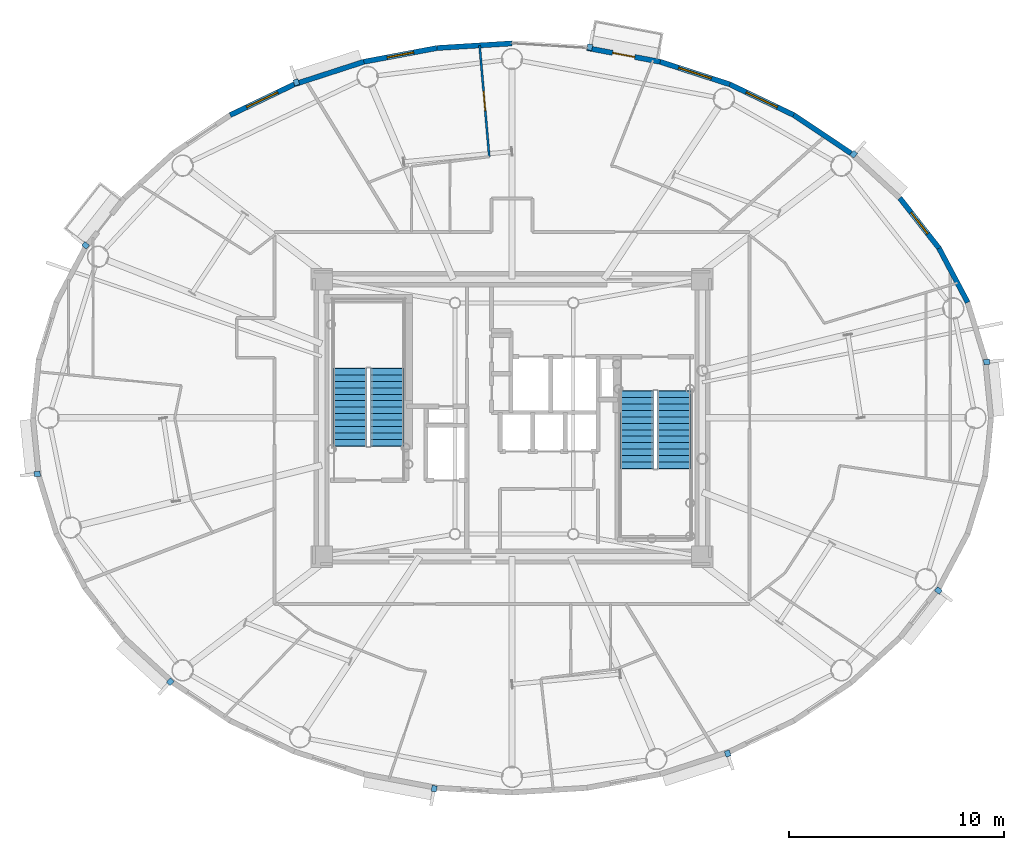
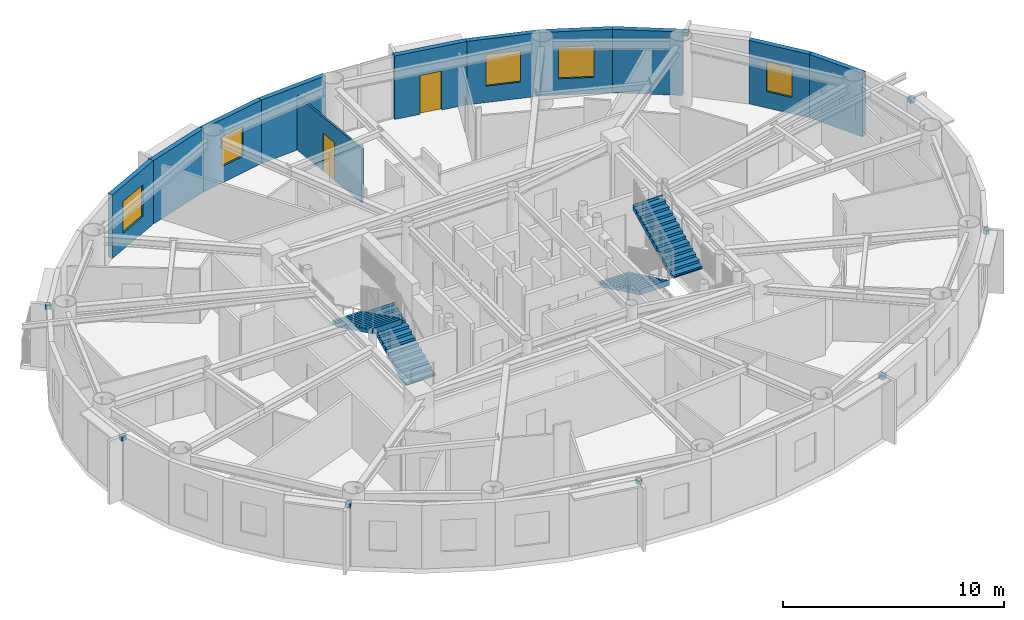
# One storey, part 11 of 18: 11 walls, 10 discrete accessories, 5 windows, 4 stair flights, 2 doors, 7 openings, 2 elements without a shape of their own.
"""IFC4 building model written with IfcOpenShell, lengths in metres."""

from ifc_helpers import new_model, si_unit, direction, frame, frame_2d, origin, origin_2d, place, context, subcontext, project, spatial, polyline, rectangle, outline, extrude, source, transform, mapped, material, layer, layer_set, type_object, element, fill, aggregate, save


model = new_model("IFC4")

# Units and contexts
model_context = context("Model", 3, precision=1e-05, world=origin(), true_north=direction((0.0, 1.0)))
body_context = subcontext(model_context, "Body", "Model", "MODEL_VIEW")
ifc_project = project(units=[si_unit("LENGTHUNIT", "METRE"), si_unit("AREAUNIT", "SQUARE_METRE"), si_unit("VOLUMEUNIT", "CUBIC_METRE"), si_unit("PLANEANGLEUNIT", "RADIAN"), si_unit("MASSUNIT", "GRAM", prefix="KILO")], contexts=[model_context])

# Site, building, storey
site_placement = place(None, origin())
site = spatial("IfcSite", under=ifc_project, at=site_placement, CompositionType="ELEMENT")
building_placement = place(site_placement, origin())
building = spatial("IfcBuilding", under=site, at=building_placement, Name="Linh Dai School and Residence Tower", CompositionType="ELEMENT")
storey_placement = place(building_placement, frame((0.0, 0.0, 291.75)))
storey = spatial("IfcBuildingStorey", under=building, at=storey_placement, Name="L72", CompositionType="ELEMENT", Elevation=291.75)

# Wall
ifc_material_1 = material(Name="Precast Concrete B45 (C35/45)", Category="concrete")
ifc_layer_1 = layer(ifc_material_1, 0.239990234375)
ifc_layer_set_1 = layer_set([ifc_layer_1], Name="Precast Concrete B45 (C35/45)")
wall_type_1 = type_object("IfcWallType", Name="EW-TC-240", PredefinedType="SOLIDWALL", material=ifc_layer_set_1)
wall_1_placement = place(storey_placement, frame((55.853759765625, 34.894775390625, 0.0), z_axis=(0.0, 0.0, 1.0), x_axis=(0.467628269026, -0.883925224218, 0.0)))
element("IfcWall", 1, at=wall_1_placement, inside=storey, type_object=wall_type_1, Name="L72 Terracotta Exterior Wall 03", PredefinedType="SOLIDWALL", context=body_context, shape_type="SweptSolid", body=[
    extrude(rectangle(XDim=2.853759765625, YDim=0.239990234375, at=frame_2d((1.4267578125, 0.0))), origin(), (0.0, 0.0, 1.0), 3.5),
])

# Wall, opening, window
wall_2_placement = place(storey_placement, frame((54.0302734375, 37.224609375, 0.0), z_axis=(0.0, 0.0, 1.0), x_axis=(0.616337186556, -0.787482363275, 0.0)))
wall_2 = element("IfcWall", 2, at=wall_2_placement, inside=storey, type_object=wall_type_1, Name="L72 Terracotta Exterior Wall 04", PredefinedType="SOLIDWALL", context=body_context, shape_type="SweptSolid", body=[
    extrude(rectangle(XDim=2.95849609375, YDim=0.239990234375, at=frame_2d((1.479248046875, 0.0))), origin(), (0.0, 0.0, 1.0), 3.5),
])
opening_1_placement = place(wall_2_placement, frame((0.85400390625, 0.0, 0.89990234375)))
opening_1 = element("IfcOpeningElement", 3, at=opening_1_placement, cuts=wall_2, Name="Opening W3", PredefinedType="OPENING", context=body_context, shape_type="SweptSolid", body=[
    extrude(rectangle(XDim=1.25, YDim=1.64990234375, at=origin_2d()), frame((0.625, 0.1298828125, 0.824951171875), z_axis=(0.0, -1.0, 0.0), x_axis=(1.0, 0.0, 0.0)), (0.0, 0.0, 1.0), 0.260009765625),
])
ifc_material_2 = material(Name="Double Low-E Insulated Glazing", Category="glass")
window_type_1 = type_object("IfcWindowType", Name="WN-RES-1250x1650", PartitioningType="SINGLE_PANEL", PredefinedType="WINDOW", material=ifc_material_2)
shared_shape_1 = source(origin(), body_context, "Body", "SweptSolid", [
    extrude(rectangle(XDim=1.25, YDim=1.64990234375, at=origin_2d()), frame((0.625, 0.030029296875, 0.824951171875), z_axis=(0.0, -1.0, 0.0), x_axis=(1.0, 0.0, 0.0)), (0.0, 0.0, 1.0), 0.06005859375),
])
window_1_placement = place(opening_1_placement, origin())
window_1 = element("IfcWindow", 4, at=window_1_placement, inside=storey, type_object=window_type_1, Name="L72 Exterior Window 04.1", OverallHeight=1.64990234375, OverallWidth=1.25, PartitioningType="SINGLE_PANEL", PredefinedType="WINDOW", context=body_context, shape_type="MappedRepresentation", body=[
    mapped(shared_shape_1, transform((0.0, 0.0, 0.0), x_axis=(1.0, 0.0, 0.0), y_axis=(0.0, 1.0, 0.0), z_axis=(0.0, 0.0, 1.0), scale=1.0)),
])
fill(opening_1, window_1)

# Wall
wall_3_placement = place(storey_placement, frame((49.1044921875, 41.08154296875, 0.0), z_axis=(0.0, 0.0, 1.0), x_axis=(0.831250592635, -0.55589787933, 0.0)))
element("IfcWall", 5, at=wall_3_placement, inside=storey, type_object=wall_type_1, Name="L72 Terracotta Exterior Wall 06", PredefinedType="SOLIDWALL", context=body_context, shape_type="SweptSolid", body=[
    extrude(rectangle(XDim=3.197265625, YDim=0.239990234375, at=frame_2d((1.5986328125, 0.0))), origin(), (0.0, 0.0, 1.0), 3.5),
])

# Wall, opening, window
wall_4_placement = place(storey_placement, frame((46.123046875, 42.51220703125, 0.0), z_axis=(0.0, 0.0, 1.0), x_axis=(0.901573741254, -0.43262546051, 0.0)))
wall_4 = element("IfcWall", 6, at=wall_4_placement, inside=storey, type_object=wall_type_1, Name="L72 Terracotta Exterior Wall 07", PredefinedType="SOLIDWALL", context=body_context, shape_type="SweptSolid", body=[
    extrude(rectangle(XDim=3.306884765625, YDim=0.239990234375, at=frame_2d((1.6533203125, 0.0))), origin(), (0.0, 0.0, 1.0), 3.5),
])
opening_2_placement = place(wall_4_placement, frame((0.853271484375, 0.0, 0.89990234375)))
opening_2 = element("IfcOpeningElement", 7, at=opening_2_placement, cuts=wall_4, Name="Opening W2", PredefinedType="OPENING", context=body_context, shape_type="SweptSolid", body=[
    extrude(rectangle(XDim=1.60009765625, YDim=1.75, at=origin_2d()), frame((0.800048828125, 0.1298828125, 0.875), z_axis=(0.0, -1.0, 0.0), x_axis=(1.0, 0.0, 0.0)), (0.0, 0.0, 1.0), 0.260009765625),
])
window_type_2 = type_object("IfcWindowType", Name="WN-RES-1600x1750", PartitioningType="DOUBLE_PANEL_VERTICAL", PredefinedType="WINDOW", material=ifc_material_2)
shared_shape_2 = source(origin(), body_context, "Body", "SweptSolid", [
    extrude(rectangle(XDim=1.60009765625, YDim=1.75, at=origin_2d()), frame((0.800048828125, 0.030029296875, 0.875), z_axis=(0.0, -1.0, 0.0), x_axis=(1.0, 0.0, 0.0)), (0.0, 0.0, 1.0), 0.06005859375),
])
window_2_placement = place(opening_2_placement, origin())
window_2 = element("IfcWindow", 8, at=window_2_placement, inside=storey, type_object=window_type_2, Name="L72 Exterior Window 07.1", OverallHeight=1.75, OverallWidth=1.60009765625, PartitioningType="DOUBLE_PANEL_VERTICAL", PredefinedType="WINDOW", context=body_context, shape_type="MappedRepresentation", body=[
    mapped(shared_shape_2, transform((0.0, 0.0, 0.0), x_axis=(1.0, 0.0, 0.0), y_axis=(0.0, 1.0, 0.0), z_axis=(0.0, 0.0, 1.0), scale=1.0)),
])
fill(opening_2, window_2)

wall_5_placement = place(storey_placement, frame((42.89111328125, 43.560302734375, 0.0), z_axis=(0.0, 0.0, 1.0), x_axis=(0.95123136723, -0.308478339592, 0.0)))
wall_5 = element("IfcWall", 9, at=wall_5_placement, inside=storey, type_object=wall_type_1, Name="L72 Terracotta Exterior Wall 08", PredefinedType="SOLIDWALL", context=body_context, shape_type="SweptSolid", body=[
    extrude(rectangle(XDim=3.397705078125, YDim=0.239990234375, at=frame_2d((1.69873046875, 0.0))), origin(), (0.0, 0.0, 1.0), 3.5),
])
opening_3_placement = place(wall_5_placement, frame((0.898681640625, 0.0, 0.89990234375)))
opening_3 = element("IfcOpeningElement", 10, at=opening_3_placement, cuts=wall_5, Name="Opening W2", PredefinedType="OPENING", context=body_context, shape_type="SweptSolid", body=[
    extrude(rectangle(XDim=1.60009765625, YDim=1.75, at=origin_2d()), frame((0.800048828125, 0.1298828125, 0.875), z_axis=(0.0, -1.0, 0.0), x_axis=(1.0, 0.0, 0.0)), (0.0, 0.0, 1.0), 0.260009765625),
])
window_3_placement = place(opening_3_placement, origin())
window_3 = element("IfcWindow", 11, at=window_3_placement, inside=storey, type_object=window_type_2, Name="L72 Exterior Window 08.1", OverallHeight=1.75, OverallWidth=1.60009765625, PartitioningType="DOUBLE_PANEL_VERTICAL", PredefinedType="WINDOW", context=body_context, shape_type="MappedRepresentation", body=[
    mapped(shared_shape_2, transform((0.0, 0.0, 0.0), x_axis=(1.0, 0.0, 0.0), y_axis=(0.0, 1.0, 0.0), z_axis=(0.0, 0.0, 1.0), scale=1.0)),
])
fill(opening_3, window_3)

# Wall, opening, door
wall_6_placement = place(storey_placement, frame((39.48876953125, 44.199951171875, 0.0), z_axis=(0.0, 0.0, 1.0), x_axis=(0.982782655757, -0.184765395959, 0.0)))
wall_6 = element("IfcWall", 12, at=wall_6_placement, inside=storey, type_object=wall_type_1, Name="L72 Terracotta Exterior Wall 09", PredefinedType="SOLIDWALL", context=body_context, shape_type="SweptSolid", body=[
    extrude(rectangle(XDim=3.4619140625, YDim=0.239990234375, at=frame_2d((1.73095703125, 0.0))), origin(), (0.0, 0.0, 1.0), 3.5),
])
opening_4_placement = place(wall_6_placement, frame((1.2060546875, 0.0, 0.0)))
opening_4 = element("IfcOpeningElement", 13, at=opening_4_placement, cuts=wall_6, Name="Opening BD1", PredefinedType="OPENING", context=body_context, shape_type="SweptSolid", body=[
    extrude(rectangle(XDim=1.050048828125, YDim=2.14990234375, at=origin_2d()), frame((0.52490234375, 0.1298828125, 1.074951171875), z_axis=(0.0, -1.0, 0.0), x_axis=(1.0, 0.0, 0.0)), (0.0, 0.0, 1.0), 0.260009765625),
])
ifc_material_3 = material(Name="Double-Glazed Balcony Door", Category="glass")
door_type_1 = type_object("IfcDoorType", Name="DR-BALC-1050x2150", OperationType="NOTDEFINED", PredefinedType="DOOR", material=ifc_material_3)
shared_shape_3 = source(origin(), body_context, "Body", "SweptSolid", [
    extrude(rectangle(XDim=1.050048828125, YDim=2.14990234375, at=origin_2d()), frame((0.52490234375, 0.02490234375, 1.074951171875), z_axis=(0.0, -1.0, 0.0), x_axis=(1.0, 0.0, 0.0)), (0.0, 0.0, 1.0), 0.050048828125),
])
door_1_placement = place(opening_4_placement, origin())
door_1 = element("IfcDoor", 14, at=door_1_placement, inside=storey, type_object=door_type_1, Name="L72 Glazed Balcony Door 09", OperationType="SINGLE_SWING_LEFT", OverallHeight=2.14990234375, OverallWidth=1.050048828125, PredefinedType="DOOR", context=body_context, shape_type="MappedRepresentation", body=[
    mapped(shared_shape_3, transform((0.0, 0.0, 0.0), x_axis=(1.0, 0.0, 0.0), y_axis=(0.0, 1.0, 0.0), z_axis=(0.0, 0.0, 1.0), scale=1.0)),
])
fill(opening_4, door_1)

# Wall
wall_7_placement = place(storey_placement, frame((32.51123046875, 44.199951171875, 0.0), z_axis=(0.0, 0.0, 1.0), x_axis=(0.998104946479, 0.061534671648, 0.0)))
element("IfcWall", 15, at=wall_7_placement, inside=storey, type_object=wall_type_1, Name="L72 Terracotta Exterior Wall 11", PredefinedType="SOLIDWALL", context=body_context, shape_type="SweptSolid", body=[
    extrude(rectangle(XDim=3.495361328125, YDim=0.239990234375, at=frame_2d((1.74755859375, 0.0))), origin(), (0.0, 0.0, 1.0), 3.5),
])

# Wall, opening, window
wall_8_placement = place(storey_placement, frame((29.10888671875, 43.560302734375, 0.0), z_axis=(0.0, 0.0, 1.0), x_axis=(0.982782655757, 0.184765395959, 0.0)))
wall_8 = element("IfcWall", 16, at=wall_8_placement, inside=storey, type_object=wall_type_1, Name="L72 Terracotta Exterior Wall 12", PredefinedType="SOLIDWALL", context=body_context, shape_type="SweptSolid", body=[
    extrude(rectangle(XDim=3.4619140625, YDim=0.239990234375, at=frame_2d((1.73095703125, 0.0))), origin(), (0.0, 0.0, 1.0), 3.5),
])
opening_5_placement = place(wall_8_placement, frame((1.10595703125, 0.0, 0.89990234375)))
opening_5 = element("IfcOpeningElement", 17, at=opening_5_placement, cuts=wall_8, Name="Opening W3", PredefinedType="OPENING", context=body_context, shape_type="SweptSolid", body=[
    extrude(rectangle(XDim=1.25, YDim=1.64990234375, at=origin_2d()), frame((0.625, 0.1298828125, 0.824951171875), z_axis=(0.0, -1.0, 0.0), x_axis=(1.0, 0.0, 0.0)), (0.0, 0.0, 1.0), 0.260009765625),
])
window_4_placement = place(opening_5_placement, origin())
window_4 = element("IfcWindow", 18, at=window_4_placement, inside=storey, type_object=window_type_1, Name="L72 Dwelling Window U7201-BD2", OverallHeight=1.64990234375, OverallWidth=1.25, PartitioningType="SINGLE_PANEL", PredefinedType="WINDOW", context=body_context, shape_type="MappedRepresentation", body=[
    mapped(shared_shape_1, transform((0.0, 0.0, 0.0), x_axis=(1.0, 0.0, 0.0), y_axis=(0.0, 1.0, 0.0), z_axis=(0.0, 0.0, 1.0), scale=1.0)),
])
fill(opening_5, window_4)

# Wall
wall_9_placement = place(storey_placement, frame((25.876953125, 42.51220703125, 0.0), z_axis=(0.0, 0.0, 1.0), x_axis=(0.95123136723, 0.308478339592, 0.0)))
element("IfcWall", 19, at=wall_9_placement, inside=storey, type_object=wall_type_1, Name="L72 Terracotta Exterior Wall 13", PredefinedType="SOLIDWALL", context=body_context, shape_type="SweptSolid", body=[
    extrude(rectangle(XDim=3.397705078125, YDim=0.239990234375, at=frame_2d((1.69873046875, 0.0))), origin(), (0.0, 0.0, 1.0), 3.5),
])

# Wall, opening, window
wall_10_placement = place(storey_placement, frame((22.8955078125, 41.08154296875, 0.0), z_axis=(0.0, 0.0, 1.0), x_axis=(0.901573741254, 0.43262546051, 0.0)))
wall_10 = element("IfcWall", 20, at=wall_10_placement, inside=storey, type_object=wall_type_1, Name="L72 Terracotta Exterior Wall 14", PredefinedType="SOLIDWALL", context=body_context, shape_type="SweptSolid", body=[
    extrude(rectangle(XDim=3.306884765625, YDim=0.239990234375, at=frame_2d((1.6533203125, 0.0))), origin(), (0.0, 0.0, 1.0), 3.5),
])
opening_6_placement = place(wall_10_placement, frame((0.853515625, 0.0, 0.89990234375)))
opening_6 = element("IfcOpeningElement", 21, at=opening_6_placement, cuts=wall_10, Name="Opening W2", PredefinedType="OPENING", context=body_context, shape_type="SweptSolid", body=[
    extrude(rectangle(XDim=1.60009765625, YDim=1.75, at=origin_2d()), frame((0.800048828125, 0.1298828125, 0.875), z_axis=(0.0, -1.0, 0.0), x_axis=(1.0, 0.0, 0.0)), (0.0, 0.0, 1.0), 0.260009765625),
])
window_5_placement = place(opening_6_placement, origin())
window_5 = element("IfcWindow", 22, at=window_5_placement, inside=storey, type_object=window_type_2, Name="L72 Exterior Window 14.1", OverallHeight=1.75, OverallWidth=1.60009765625, PartitioningType="DOUBLE_PANEL_VERTICAL", PredefinedType="WINDOW", context=body_context, shape_type="MappedRepresentation", body=[
    mapped(shared_shape_2, transform((0.0, 0.0, 0.0), x_axis=(1.0, 0.0, 0.0), y_axis=(0.0, 1.0, 0.0), z_axis=(0.0, 0.0, 1.0), scale=1.0)),
])
fill(opening_6, window_5)

# Wall, opening, door
ifc_material_4 = material(Name="Gypsum Plasterboard Acoustic Stud Partition", Category="masonry")
ifc_layer_2 = layer(ifc_material_4, 0.10009765625)
ifc_layer_set_2 = layer_set([ifc_layer_2], Name="Gypsum Plasterboard Acoustic Stud Partition")
wall_type_2 = type_object("IfcWallType", Name="IW-UNIT-100", PredefinedType="PARTITIONING", material=ifc_layer_set_2)
wall_11_placement = place(storey_placement, frame((34.492431640625, 44.3271484375, 0.0), z_axis=(0.0, 0.0, 1.0), x_axis=(0.086674190257, -0.9962367112, 0.0)))
wall_11 = element("IfcWall", 23, at=wall_11_placement, inside=storey, type_object=wall_type_2, Name="L72 Interior Partition Wall 035", PredefinedType="PARTITIONING", context=body_context, shape_type="SweptSolid", body=[
    extrude(rectangle(XDim=5.19970703125, YDim=0.10009765625, at=frame_2d((2.599853515625, 0.0))), origin(), (0.0, 0.0, 1.0), 2.985107421875),
])
opening_7_placement = place(wall_11_placement, frame((2.14990234375, 0.0, 0.0)))
opening_7 = element("IfcOpeningElement", 24, at=opening_7_placement, cuts=wall_11, Name="Opening D05", PredefinedType="OPENING", context=body_context, shape_type="SweptSolid", body=[
    extrude(rectangle(XDim=0.89990234375, YDim=2.10009765625, at=origin_2d()), frame((0.449951171875, 0.06005859375, 1.050048828125), z_axis=(0.0, -1.0, 0.0), x_axis=(1.0, 0.0, 0.0)), (0.0, 0.0, 1.0), 0.1201171875),
])
ifc_material_5 = material(Name="Engineered Timber Internal Door", Category="wood")
door_type_2 = type_object("IfcDoorType", Name="DR-INT-900x2100", OperationType="NOTDEFINED", PredefinedType="DOOR", material=ifc_material_5)
shared_shape_4 = source(origin(), body_context, "Body", "SweptSolid", [
    extrude(rectangle(XDim=0.89990234375, YDim=2.10009765625, at=origin_2d()), frame((0.449951171875, 0.02490234375, 1.050048828125), z_axis=(0.0, -1.0, 0.0), x_axis=(1.0, 0.0, 0.0)), (0.0, 0.0, 1.0), 0.050048828125),
])
door_2_placement = place(opening_7_placement, origin())
door_2 = element("IfcDoor", 25, at=door_2_placement, inside=storey, type_object=door_type_2, Name="L72 Apartment U7201 Bedroom 2 Door", OperationType="SINGLE_SWING_RIGHT", OverallHeight=2.10009765625, OverallWidth=0.89990234375, PredefinedType="DOOR", context=body_context, shape_type="MappedRepresentation", body=[
    mapped(shared_shape_4, transform((0.0, 0.0, 0.0), x_axis=(1.0, 0.0, 0.0), y_axis=(0.0, 1.0, 0.0), z_axis=(0.0, 0.0, 1.0), scale=1.0)),
])
fill(opening_7, door_2)

# Stair, stair flights
ifc_material_6 = material(Name="Concrete B45 (C35/45)", Category="concrete")
stair_type = type_object("IfcStairType", Name="ST-DOG-1550-R1442", PredefinedType="HALF_TURN_STAIR", material=ifc_material_6)
stair_1_placement = place(storey_placement, origin())
stair_1 = element("IfcStair", 26, at=stair_1_placement, inside=storey, type_object=stair_type, Name="L72 Core Smokeproof Exit Stair ST1", PredefinedType="HALF_TURN_STAIR")
stair_flight_type = type_object("IfcStairFlightType", Name="STF-STR-1550-R1442", PredefinedType="STRAIGHT", material=ifc_material_6)
shared_shape_5 = source(origin(), body_context, "Body", "SweptSolid", [
    extrude(outline(polyline([(-0.02490234375, 0.0), (-0.02490234375, 0.06005859375), (0.0, 0.06005859375), (0.0, 0.144287109375), (0.300048828125, 0.144287109375), (0.300048828125, 0.28857421875), (0.60009765625, 0.28857421875), (0.60009765625, 0.4326171875), (0.89990234375, 0.4326171875), (0.89990234375, 0.576904296875), (1.199951171875, 0.576904296875), (1.199951171875, 0.72119140625), (1.5, 0.72119140625), (1.5, 0.865478515625), (1.800048828125, 0.865478515625), (1.800048828125, 1.009521484375), (2.10009765625, 1.009521484375), (2.10009765625, 1.15380859375), (2.39990234375, 1.15380859375), (2.39990234375, 1.298095703125), (2.699951171875, 1.298095703125), (2.699951171875, 1.4423828125), (3.0, 1.4423828125), (3.0, 1.58642578125), (3.300048828125, 1.58642578125), (3.300048828125, 1.730712890625), (3.60009765625, 1.730712890625), (3.60009765625, 1.875), (3.625, 1.875), (3.625, 1.564453125), (3.60009765625, 1.564453125), (0.345947265625, 0.0), (-0.02490234375, 0.0)])), frame((0.0, 0.77490234375, 0.0), z_axis=(0.0, -1.0, 0.0), x_axis=(1.0, 0.0, 0.0)), (0.0, 0.0, 1.0), 1.550048828125),
])
stair_flight_1_placement = place(storey_placement, frame((30.205078125, 25.699951171875, 0.0), z_axis=(0.0, 0.0, 1.0), x_axis=(0.0, 1.0, 0.0)))
stair_flight_1 = element("IfcStairFlight", 27, at=stair_flight_1_placement, type_object=stair_flight_type, Name="ST1 flight 1", NumberOfRisers=13, NumberOfTreads=12, PredefinedType="STRAIGHT", RiserHeight=0.144230769, TreadLength=0.3, context=body_context, shape_type="MappedRepresentation", body=[
    mapped(shared_shape_5, transform((0.0, 0.0, 0.0), x_axis=(1.0, 0.0, 0.0), y_axis=(0.0, 1.0, 0.0), z_axis=(0.0, 0.0, 1.0), scale=1.0)),
])
stair_flight_2_placement = place(storey_placement, frame((28.455078125, 29.300048828125, 1.875), z_axis=(0.0, 0.0, 1.0), x_axis=(0.0, -1.0, 0.0)))
stair_flight_2 = element("IfcStairFlight", 28, at=stair_flight_2_placement, type_object=stair_flight_type, Name="ST1 flight 2", NumberOfRisers=13, NumberOfTreads=12, PredefinedType="STRAIGHT", RiserHeight=0.144230769, TreadLength=0.3, context=body_context, shape_type="MappedRepresentation", body=[
    mapped(shared_shape_5, transform((0.0, 0.0, 0.0), x_axis=(1.0, 0.0, 0.0), y_axis=(0.0, 1.0, 0.0), z_axis=(0.0, 0.0, 1.0), scale=1.0)),
])
aggregate(stair_1, [stair_flight_1, stair_flight_2])

stair_2_placement = place(storey_placement, origin())
stair_2 = element("IfcStair", 29, at=stair_2_placement, inside=storey, type_object=stair_type, Name="L72 Core Smokeproof Exit Stair ST2", PredefinedType="HALF_TURN_STAIR")
stair_flight_3_placement = place(storey_placement, frame((41.794921875, 28.25, 0.0), z_axis=(0.0, 0.0, 1.0), x_axis=(0.0, -1.0, 0.0)))
stair_flight_3 = element("IfcStairFlight", 30, at=stair_flight_3_placement, type_object=stair_flight_type, Name="ST2 flight 1", NumberOfRisers=13, NumberOfTreads=12, PredefinedType="STRAIGHT", RiserHeight=0.144230769, TreadLength=0.3, context=body_context, shape_type="MappedRepresentation", body=[
    mapped(shared_shape_5, transform((0.0, 0.0, 0.0), x_axis=(1.0, 0.0, 0.0), y_axis=(0.0, 1.0, 0.0), z_axis=(0.0, 0.0, 1.0), scale=1.0)),
])
stair_flight_4_placement = place(storey_placement, frame((43.544921875, 24.64990234375, 1.875), z_axis=(0.0, 0.0, 1.0), x_axis=(0.0, 1.0, 0.0)))
stair_flight_4 = element("IfcStairFlight", 31, at=stair_flight_4_placement, type_object=stair_flight_type, Name="ST2 flight 2", NumberOfRisers=13, NumberOfTreads=12, PredefinedType="STRAIGHT", RiserHeight=0.144230769, TreadLength=0.3, context=body_context, shape_type="MappedRepresentation", body=[
    mapped(shared_shape_5, transform((0.0, 0.0, 0.0), x_axis=(1.0, 0.0, 0.0), y_axis=(0.0, 1.0, 0.0), z_axis=(0.0, 0.0, 1.0), scale=1.0)),
])
aggregate(stair_2, [stair_flight_3, stair_flight_4])

# Discrete accessories
ifc_material_7 = material(Name="Structural Steel S355JR", Category="steel")
discrete_accessory_type = type_object("IfcDiscreteAccessoryType", Name="ACC-BRK-S355", PredefinedType="BRACKET", material=ifc_material_7)
shared_shape_6 = source(origin(), body_context, "Body", "SweptSolid", [
    extrude(rectangle(XDim=0.280029296875, YDim=0.239990234375, at=origin_2d()), origin(), (0.0, 0.0, 1.0), 0.219970703125),
])
for number, where, z_axis, x_axis, name in (
    (32, (58.073486328125, 29.605712890625, 3.25), (0.0, 0.0, 1.0), (0.994986629598, 0.100008034283, 0.0), "L72 Facade Frame Anchor Bracket 01"),
    (33, (51.89111328125, 39.267333984375, 3.25), (0.0, 0.0, 1.0), (0.67577730889, 0.737105846394, 0.0), "L72 Facade Frame Anchor Bracket 05"),
    (34, (39.61767578125, 44.23681640625, 3.25), (0.0, 0.0, 1.0), (0.184751197452, 0.982785325002, 0.0), "L72 Facade Frame Anchor Bracket 09"),
    (35, (25.97265625, 42.606201171875, 3.25), (0.0, 0.0, 1.0), (-0.308518805176, 0.951218243545, 0.0), "L72 Facade Frame Anchor Bracket 13"),
    (36, (16.1728515625, 35.0263671875, 3.25), (0.0, 0.0, 1.0), (-0.78750300393, 0.616310813471, 0.0), "L72 Facade Frame Anchor Bracket 17"),
    (37, (13.926513671875, 24.394287109375, 3.25), (0.0, 0.0, 1.0), (-0.994986629598, -0.100008034283, 0.0), "L72 Facade Frame Anchor Bracket 21"),
    (38, (20.10888671875, 14.732666015625, 3.25), (0.0, 0.0, 1.0), (-0.675779074535, -0.737104227651, 0.0), "L72 Facade Frame Anchor Bracket 25"),
    (39, (32.38232421875, 9.76318359375, 3.25), (0.0, 0.0, 1.0), (-0.184751197452, -0.982785325002, 0.0), "L72 Facade Frame Anchor Bracket 29"),
    (40, (46.02734375, 11.393798828125, 3.25), (0.0, 0.0, 1.0), (0.308518805176, -0.951218243545, 0.0), "L72 Facade Frame Anchor Bracket 33"),
    (41, (55.8271484375, 18.9736328125, 3.25), (0.0, 0.0, 1.0), (0.78750300393, -0.616310813471, 0.0), "L72 Facade Frame Anchor Bracket 37"),
):
    element("IfcDiscreteAccessory", number, at=place(storey_placement, frame(where, z_axis=z_axis, x_axis=x_axis)), inside=storey, type_object=discrete_accessory_type, Name=name, PredefinedType="BRACKET", context=body_context, shape_type="MappedRepresentation", body=[
        mapped(shared_shape_6, transform((0.0, 0.0, 0.0), x_axis=(1.0, 0.0, 0.0), y_axis=(0.0, 1.0, 0.0), z_axis=(0.0, 0.0, 1.0), scale=1.0)),
    ])

save(model, "model.ifc")
